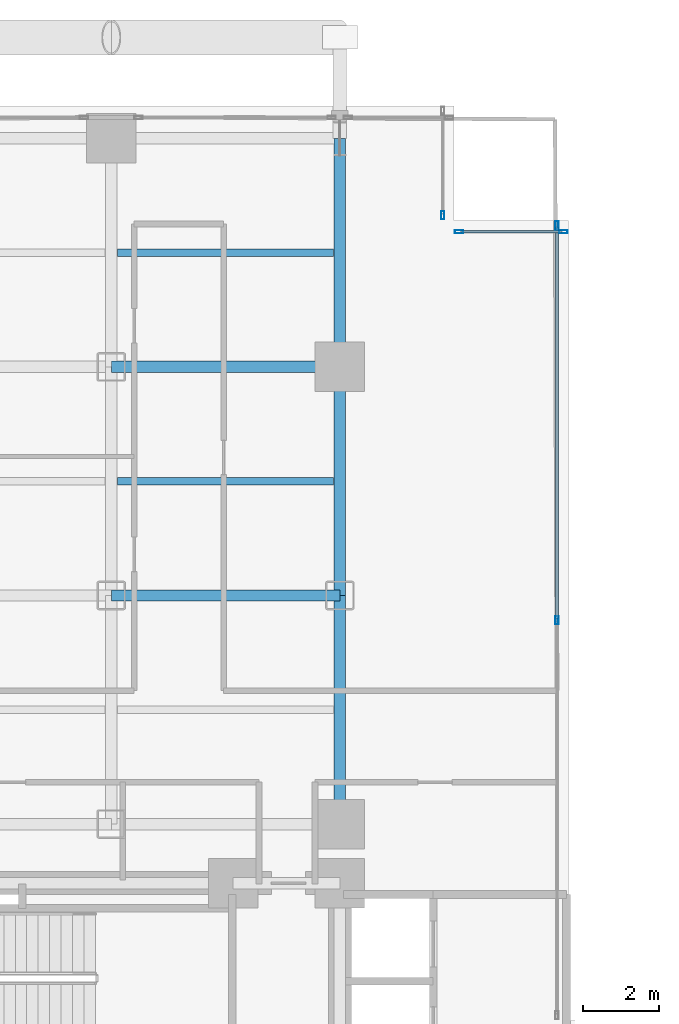
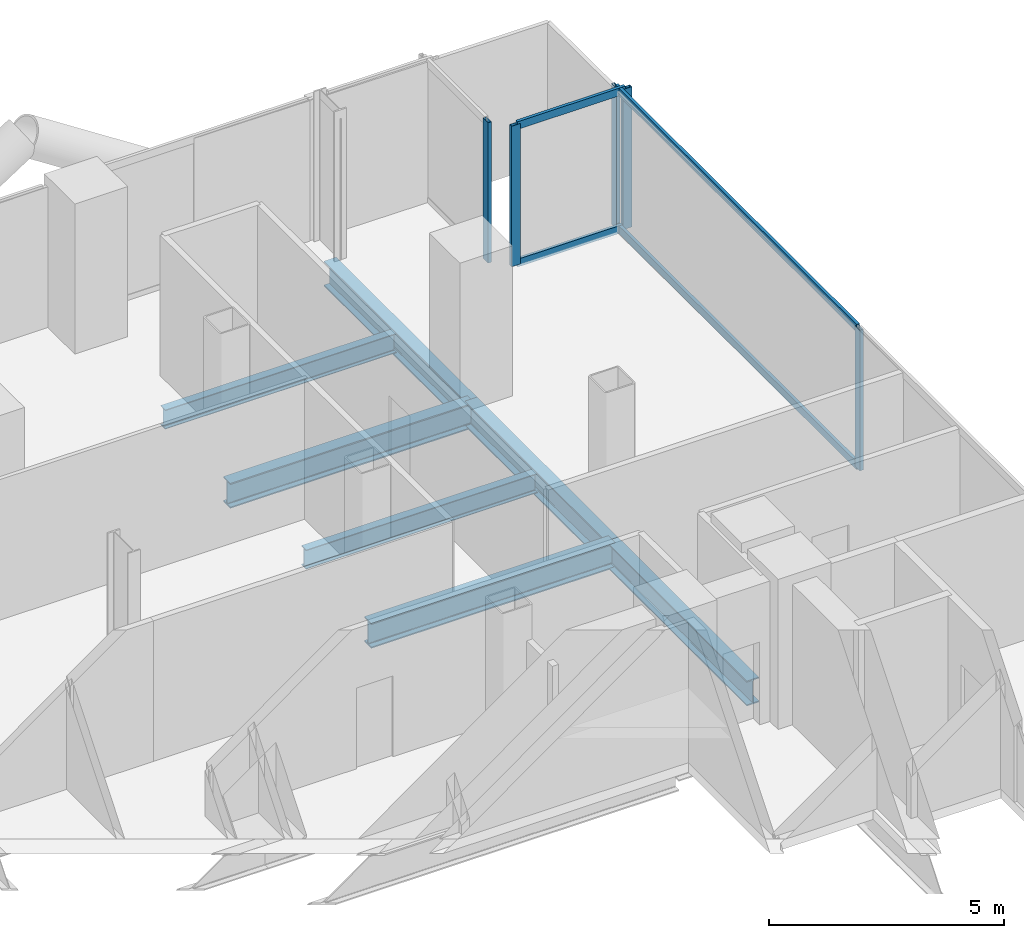
# One storey, part 15 of 27: 9 members, 7 beams, 3 elements without a shape of their own.
"""IFC4 building model written with IfcOpenShell, lengths in metres."""

from ifc_helpers import new_model, si_unit, direction, frame, origin, origin_2d, place, context, subcontext, project, spatial, hollow_rectangle, i_section, extrude, material, layer, layer_set, material_profile, profile_set, type_object, element, aggregate, save


model = new_model("IFC4")

# Units and contexts
model_context = context("Model", 3, precision=1e-05, world=origin(), true_north=direction((0.0, 1.0)))
body_context = subcontext(model_context, "Body", "Model", "MODEL_VIEW")
ifc_project = project(units=[si_unit("LENGTHUNIT", "METRE"), si_unit("AREAUNIT", "SQUARE_METRE"), si_unit("VOLUMEUNIT", "CUBIC_METRE"), si_unit("PLANEANGLEUNIT", "RADIAN"), si_unit("MASSUNIT", "GRAM", prefix="KILO"), si_unit("THERMODYNAMICTEMPERATUREUNIT", "KELVIN"), si_unit("POWERUNIT", "WATT")], contexts=[model_context])

# Site, building, storey
site_placement = place(None, origin())
site = spatial("IfcSite", under=ifc_project, at=site_placement, CompositionType="ELEMENT")
building_placement = place(site_placement, origin())
building = spatial("IfcBuilding", under=site, at=building_placement, Name="Svarakhadi Broadcast Tower", CompositionType="ELEMENT")
storey_placement = place(building_placement, frame((0.0, 0.0, 40.199951171875)))
storey = spatial("IfcBuildingStorey", under=building, at=storey_placement, Name="L08", CompositionType="ELEMENT", Elevation=40.199951171875)

# Beams
ifc_material_1 = material(Name="Steel S355J2 (IS 2062 E350C)", Category="steel")
ifc_material_profile_1 = material_profile(ifc_material_1, i_section(OverallWidth=0.199951171875, OverallDepth=0.5, WebThickness=0.01025390625, FlangeThickness=0.01611328125, FilletRadius=0.02099609375, at=origin_2d()), Name="NPB 500x200x91")
ifc_profile_set_1 = profile_set([ifc_material_profile_1], Name="Steel S355J2 (IS 2062 E350C)")
beam_type_1 = type_object("IfcBeamType", Name="Beam_NPB500", PredefinedType="BEAM", material=ifc_profile_set_1)
for number, where, z_axis, x_axis, name in (
    (1, (12.159912109375, 38.14990234375, -0.5), (1.0, 0.0, 0.0), (0.0, 1.0, 0.0), "L08 Secondary Composite Beam SB017"),
    (2, (12.159912109375, 44.14990234375, -0.5), (1.0, 0.0, 0.0), (0.0, 1.0, 0.0), "L08 Secondary Composite Beam SB018"),
):
    element("IfcBeam", number, at=place(storey_placement, frame(where, z_axis=z_axis, x_axis=x_axis)), inside=storey, type_object=beam_type_1, Name=name, PredefinedType="BEAM", context=body_context, shape_type="SweptSolid", body=[
        extrude(i_section(OverallWidth=0.199951171875, OverallDepth=0.5, WebThickness=0.01025390625, FlangeThickness=0.01611328125, FilletRadius=0.02099609375, at=origin_2d()), origin(), (0.0, 0.0, 1.0), 5.68017578125),
    ])

# Curtain wall, member
ifc_material_2 = material(Name="Anodised Bronze Aluminium AA 6063-T6", Category="aluminium")
ifc_layer = layer(ifc_material_2, 0.219970703125)
ifc_layer_set = layer_set([ifc_layer], Name="Anodised Bronze Aluminium AA 6063-T6")
curtain_wall_type = type_object("IfcCurtainWallType", Name="CW_Sys_02", PredefinedType="NOTDEFINED", material=ifc_layer_set)
curtain_wall_1_placement = place(storey_placement, origin())
curtain_wall_1 = element("IfcCurtainWall", 3, at=curtain_wall_1_placement, inside=storey, type_object=curtain_wall_type, Name="L08 Unitised Facade Curtain Wall 07", PredefinedType="NOTDEFINED")
ifc_material_profile_2 = material_profile(ifc_material_2, hollow_rectangle(XDim=0.0849609375, YDim=0.219970703125, WallThickness=0.006103515625, at=origin_2d()), Name="ALU MULLION 220x85x6")
ifc_profile_set_2 = profile_set([ifc_material_profile_2], Name="Anodised Bronze Aluminium AA 6063-T6")
member_type_1 = type_object("IfcMemberType", Name="CW_Sys_02_Mul", PredefinedType="MULLION", material=ifc_profile_set_2)
member_1_placement = place(storey_placement, frame((20.699951171875, 45.132568359375, 0.0), z_axis=(0.0, 0.0, 1.0), x_axis=(1.0, 0.0, 0.0)))
member_1 = element("IfcMember", 4, at=member_1_placement, type_object=member_type_1, Name="CW-02 mullion 2", PredefinedType="MULLION", context=body_context, shape_type="SweptSolid", body=[
    extrude(hollow_rectangle(XDim=0.0849609375, YDim=0.219970703125, WallThickness=0.006103515625, at=origin_2d()), origin(), (0.0, 0.0, 1.0), 3.650146484375),
])
aggregate(curtain_wall_1, [member_1])

# Curtain wall, members
curtain_wall_2_placement = place(storey_placement, origin())
curtain_wall_2 = element("IfcCurtainWall", 5, at=curtain_wall_2_placement, inside=storey, type_object=curtain_wall_type, Name="L08 Unitised Facade Curtain Wall 08", PredefinedType="NOTDEFINED")
member_2_placement = place(storey_placement, frame((21.132568359375, 44.699951171875, 0.0), z_axis=(0.0, 0.0, 1.0), x_axis=(0.0, 1.0, 0.0)))
member_2 = element("IfcMember", 6, at=member_2_placement, type_object=member_type_1, Name="CW-02 mullion 1", PredefinedType="MULLION", context=body_context, shape_type="SweptSolid", body=[
    extrude(hollow_rectangle(XDim=0.0849609375, YDim=0.219970703125, WallThickness=0.006103515625, at=origin_2d()), origin(), (0.0, 0.0, 1.0), 3.650146484375),
])
member_3_placement = place(storey_placement, frame((23.867431640625, 44.699951171875, 0.0), z_axis=(0.0, 0.0, 1.0), x_axis=(0.0, 1.0, 0.0)))
member_3 = element("IfcMember", 7, at=member_3_placement, type_object=member_type_1, Name="CW-02 mullion 2", PredefinedType="MULLION", context=body_context, shape_type="SweptSolid", body=[
    extrude(hollow_rectangle(XDim=0.0849609375, YDim=0.219970703125, WallThickness=0.006103515625, at=origin_2d()), origin(), (0.0, 0.0, 1.0), 3.650146484375),
])

curtain_wall_3_placement = place(storey_placement, origin())
curtain_wall_3 = element("IfcCurtainWall", 8, at=curtain_wall_3_placement, inside=storey, type_object=curtain_wall_type, Name="L08 Unitised Facade Curtain Wall 09", PredefinedType="NOTDEFINED")
member_4_placement = place(storey_placement, frame((23.699951171875, 44.867431640625, 0.0), z_axis=(0.0, 0.0, 1.0), x_axis=(1.0, 0.0, 0.0)))
member_4 = element("IfcMember", 9, at=member_4_placement, type_object=member_type_1, Name="CW-02 mullion 1", PredefinedType="MULLION", context=body_context, shape_type="SweptSolid", body=[
    extrude(hollow_rectangle(XDim=0.0849609375, YDim=0.219970703125, WallThickness=0.006103515625, at=origin_2d()), origin(), (0.0, 0.0, 1.0), 3.650146484375),
])
member_5_placement = place(storey_placement, frame((23.699951171875, 34.5, 0.0), z_axis=(0.0, 0.0, 1.0), x_axis=(1.0, 0.0, 0.0)))
member_5 = element("IfcMember", 10, at=member_5_placement, type_object=member_type_1, Name="CW-02 mullion 2", PredefinedType="MULLION", context=body_context, shape_type="SweptSolid", body=[
    extrude(hollow_rectangle(XDim=0.0849609375, YDim=0.219970703125, WallThickness=0.006103515625, at=origin_2d()), origin(), (0.0, 0.0, 1.0), 3.650146484375),
])

# Member
ifc_material_profile_3 = material_profile(ifc_material_2, hollow_rectangle(XDim=0.074951171875, YDim=0.199951171875, WallThickness=0.0048828125, at=origin_2d()), Name="ALU TRANSOM 200x75x5")
ifc_profile_set_3 = profile_set([ifc_material_profile_3], Name="Anodised Bronze Aluminium AA 6063-T6")
member_type_2 = type_object("IfcMemberType", Name="CW_Sys_02_Trn", PredefinedType="USERDEFINED", material=ifc_profile_set_3)
member_6_placement = place(storey_placement, frame((21.175048828125, 44.699951171875, 0.03759765625), z_axis=(1.0, 0.0, 0.0), x_axis=(0.0, 1.0, 0.0)))
member_6 = element("IfcMember", 11, at=member_6_placement, type_object=member_type_2, Name="CW-02 transom 1.1", ObjectType="TRANSOM", PredefinedType="USERDEFINED", context=body_context, shape_type="SweptSolid", body=[
    extrude(hollow_rectangle(XDim=0.074951171875, YDim=0.199951171875, WallThickness=0.0048828125, at=origin_2d()), origin(), (0.0, 0.0, 1.0), 2.64990234375),
])

member_7_placement = place(storey_placement, frame((21.175048828125, 44.699951171875, 3.612548828125), z_axis=(1.0, 0.0, 0.0), x_axis=(0.0, 1.0, 0.0)))
member_7 = element("IfcMember", 12, at=member_7_placement, type_object=member_type_2, Name="CW-02 transom 1.2", ObjectType="TRANSOM", PredefinedType="USERDEFINED", context=body_context, shape_type="SweptSolid", body=[
    extrude(hollow_rectangle(XDim=0.074951171875, YDim=0.199951171875, WallThickness=0.0048828125, at=origin_2d()), origin(), (0.0, 0.0, 1.0), 2.64990234375),
])

aggregate(curtain_wall_2, [member_2, member_3, member_6, member_7])

member_8_placement = place(storey_placement, frame((23.699951171875, 44.824951171875, 0.03759765625), z_axis=(0.0, -1.0, 0.0), x_axis=(1.0, 0.0, 0.0)))
member_8 = element("IfcMember", 13, at=member_8_placement, type_object=member_type_2, Name="CW-02 transom 1.1", ObjectType="TRANSOM", PredefinedType="USERDEFINED", context=body_context, shape_type="SweptSolid", body=[
    extrude(hollow_rectangle(XDim=0.074951171875, YDim=0.199951171875, WallThickness=0.0048828125, at=origin_2d()), origin(), (0.0, 0.0, 1.0), 10.282470703125),
])

member_9_placement = place(storey_placement, frame((23.699951171875, 44.824951171875, 3.612548828125), z_axis=(0.0, -1.0, 0.0), x_axis=(1.0, 0.0, 0.0)))
member_9 = element("IfcMember", 14, at=member_9_placement, type_object=member_type_2, Name="CW-02 transom 1.2", ObjectType="TRANSOM", PredefinedType="USERDEFINED", context=body_context, shape_type="SweptSolid", body=[
    extrude(hollow_rectangle(XDim=0.074951171875, YDim=0.199951171875, WallThickness=0.0048828125, at=origin_2d()), origin(), (0.0, 0.0, 1.0), 10.282470703125),
])

aggregate(curtain_wall_3, [member_4, member_5, member_8, member_9])

# Beams
ifc_material_profile_4 = material_profile(ifc_material_1, i_section(OverallWidth=0.300048828125, OverallDepth=0.64990234375, WebThickness=0.01611328125, FlangeThickness=0.031005859375, FilletRadius=0.027099609375, at=origin_2d()), Name="WPB 650x300x225")
ifc_profile_set_4 = profile_set([ifc_material_profile_4], Name="Steel S355J2 (IS 2062 E350C)")
beam_type_2 = type_object("IfcBeamType", Name="Girder_WPB650", PredefinedType="USERDEFINED", material=ifc_profile_set_4)
for number, where, z_axis, x_axis, name in (
    (15, (12.0, 35.14990234375, -0.574951171875), (1.0, 0.0, 0.0), (0.0, 1.0, 0.0), "L08 Primary E-W Girder G039"),
    (16, (12.0, 41.14990234375, -0.574951171875), (1.0, 0.0, 0.0), (0.0, 1.0, 0.0), "L08 Primary E-W Girder G042"),
    (17, (18.0, 29.14990234375, -0.574951171875), (0.0, 1.0, 0.0), (-1.0, 0.0, 0.0), "L08 Primary N-S Girder G068"),
    (18, (18.0, 35.14990234375, -0.574951171875), (0.0, 1.0, 0.0), (-1.0, 0.0, 0.0), "L08 Primary N-S Girder G069"),
    (19, (18.0, 41.14990234375, -0.574951171875), (0.0, 1.0, 0.0), (-1.0, 0.0, 0.0), "L08 Primary N-S Girder G070"),
):
    element("IfcBeam", number, at=place(storey_placement, frame(where, z_axis=z_axis, x_axis=x_axis)), inside=storey, type_object=beam_type_2, Name=name, ObjectType="GIRDER", PredefinedType="USERDEFINED", context=body_context, shape_type="SweptSolid", body=[
        extrude(i_section(OverallWidth=0.300048828125, OverallDepth=0.64990234375, WebThickness=0.01611328125, FlangeThickness=0.031005859375, FilletRadius=0.027099609375, at=origin_2d()), origin(), (0.0, 0.0, 1.0), 6.0),
    ])

save(model, "model.ifc")
